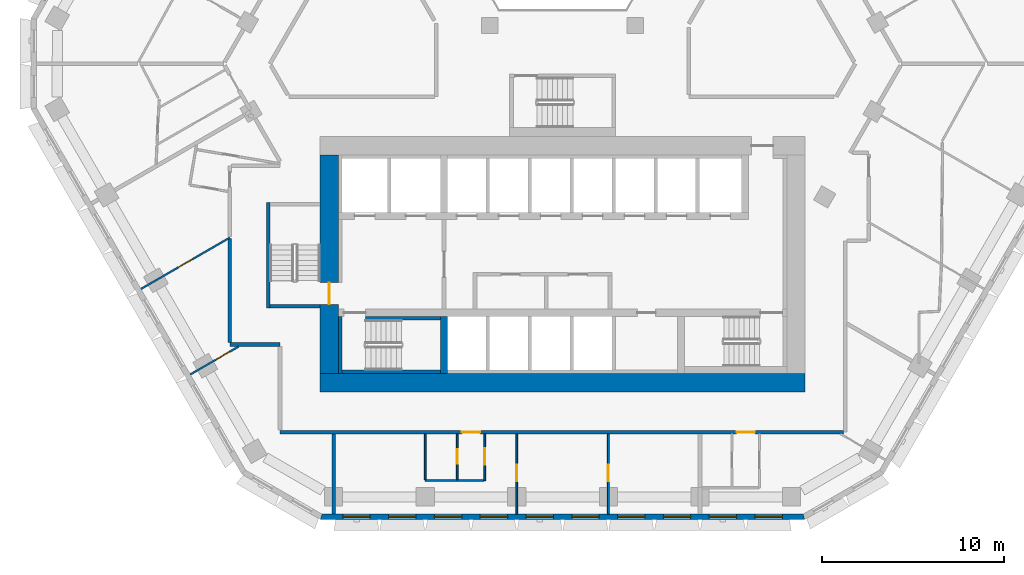
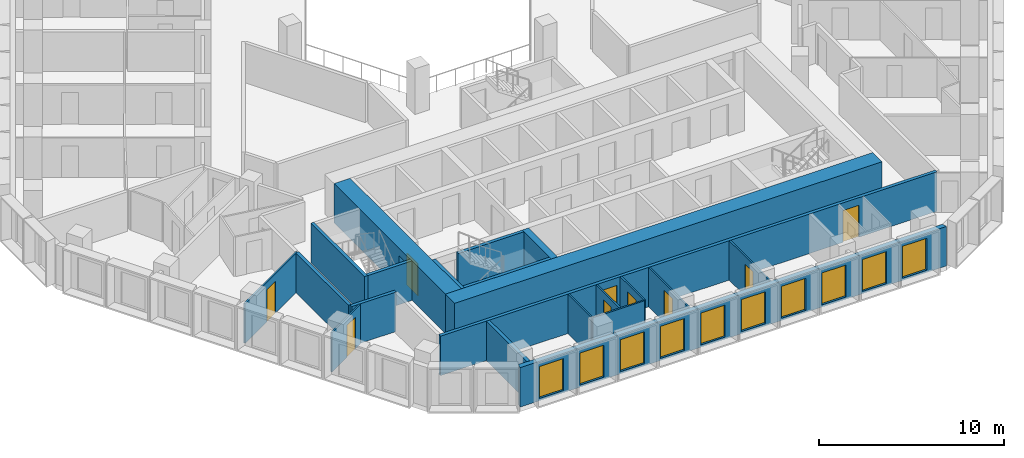
# One storey, part 3 of 18: 21 walls, 10 windows, 9 doors, 19 openings.
"""IFC4 building model written with IfcOpenShell, lengths in metres."""

import ifcopenshell
import ifcopenshell.guid

model = None  # the IFC model being written
_history = None  # IfcOwnerHistory: only IFC2X3 demands one
_inside = {}  # id of a spatial element -> (the spatial element, [elements in it])
_under = {}  # id of a project, library or spatial element -> (it, [spatial elements below it])
_declared = {}  # id of a project -> (the project, [libraries it declares])
_typed = {}  # id of a type object -> (the type object, [elements of that type])
_made_of = {}  # id of a material, layer set ... -> (it, [elements and type objects made of it])


def new_model(schema):
    """Start an empty IFC model of exactly this schema.

    Asked for "IFC4X3", IfcOpenShell would pick the latest addendum, in which some entities
    have other attributes; the version numbers below select the first issue.
    IFC2X3 requires an IfcOwnerHistory on every rooted entity: one is made here for all.
    """
    global model, _history
    if schema == "IFC4X3":
        model = ifcopenshell.file(schema_version=(4, 3, 0, 0))
    else:
        model = ifcopenshell.file(schema=schema)
    _inside.clear()
    _under.clear()
    _declared.clear()
    _typed.clear()
    _made_of.clear()
    _history = None
    if model.schema == "IFC2X3":
        org = make("IfcOrganization", Name="unknown")
        user = make(
            "IfcPersonAndOrganization",
            ThePerson=make("IfcPerson", FamilyName="unknown"),
            TheOrganization=org,
        )
        app = make(
            "IfcApplication",
            ApplicationDeveloper=org,
            Version="unknown",
            ApplicationFullName="unknown",
            ApplicationIdentifier="unknown",
        )
        _history = make(
            "IfcOwnerHistory",
            OwningUser=user,
            OwningApplication=app,
            ChangeAction="ADDED",
            CreationDate=0,
        )
    return model


def make(cls, **values):
    """One entity of the class cls with the attributes given. An attribute that is None is left unset."""
    return model.create_entity(
        cls, **{name: value for name, value in values.items() if value is not None}
    )


def rooted(cls, **values):
    """An entity with a GlobalId (a new one), such as an element, a storey or a relation."""
    return make(cls, GlobalId=ifcopenshell.guid.new(), OwnerHistory=_history, **values)


def si_unit(unit_type, name, prefix=None):
    """IfcSIUnit, for example si_unit("LENGTHUNIT", "METRE", prefix="MILLI")."""
    return make("IfcSIUnit", UnitType=unit_type, Prefix=prefix, Name=name)


def assignment(units):
    """IfcUnitAssignment: the units of a project."""
    return None if units is None else make("IfcUnitAssignment", Units=units)


def point(xyz):
    """IfcCartesianPoint."""
    return None if xyz is None else make("IfcCartesianPoint", Coordinates=xyz)


def direction(xyz):
    """IfcDirection."""
    return None if xyz is None else make("IfcDirection", DirectionRatios=xyz)


def frame(location, z_axis=None, x_axis=None):
    """IfcAxis2Placement3D, a coordinate frame: its origin and axes. An axis left out is left unset."""
    return make(
        "IfcAxis2Placement3D",
        Location=point(location),
        Axis=direction(z_axis),
        RefDirection=direction(x_axis),
    )


def frame_2d(location, x_axis=None):
    """IfcAxis2Placement2D, a coordinate frame in the plane: its origin and x axis."""
    return make(
        "IfcAxis2Placement2D", Location=point(location), RefDirection=direction(x_axis)
    )


def origin():
    """The frame at (0, 0, 0) with its axes left unset."""
    return frame((0.0, 0.0, 0.0))


def place(relative_to, where):
    """IfcLocalPlacement: puts the frame where relative to a parent placement (None: the world)."""
    return make(
        "IfcLocalPlacement", PlacementRelTo=relative_to, RelativePlacement=where
    )


def context(
    kind, dimensions, precision=None, world=None, true_north=None, identifier=None
):
    """IfcGeometricRepresentationContext, for example the 3D "Model" context."""
    return make(
        "IfcGeometricRepresentationContext",
        ContextIdentifier=identifier,
        ContextType=kind,
        CoordinateSpaceDimension=dimensions,
        Precision=precision,
        WorldCoordinateSystem=world,
        TrueNorth=true_north,
    )


def subcontext(parent, identifier, kind, view, scale=None):
    """IfcGeometricRepresentationSubContext, for example "Body" below "Model"."""
    return make(
        "IfcGeometricRepresentationSubContext",
        ContextIdentifier=identifier,
        ContextType=kind,
        ParentContext=parent,
        TargetScale=scale,
        TargetView=view,
    )


def project(units=None, contexts=None):
    """IfcProject with its units and contexts."""
    return rooted(
        "IfcProject",
        Name="project",
        RepresentationContexts=contexts,
        UnitsInContext=assignment(units),
    )


def spatial(cls, under=None, at=None, **own):
    """A site, building, storey or space (cls), placed at a placement, below another one or the project."""
    s = rooted(cls, ObjectPlacement=at, **own)
    if under is not None:
        _under.setdefault(under.id(), (under, []))[1].append(s)
    return s


def polyline(points):
    """IfcPolyline through the points."""
    return make("IfcPolyline", Points=[point(p) for p in points])


def profile(cls, at=None, kind="AREA", **sizes):
    """A parametric profile (cls). Its sizes go by their IFC names, for example OverallWidth=200.0."""
    return make(cls, ProfileType=kind, Position=at, **sizes)


def rectangle(**sizes):
    """IfcRectangleProfileDef."""
    return profile("IfcRectangleProfileDef", **sizes)


def outline(outer, holes=None, kind="AREA"):
    """IfcArbitraryClosedProfileDef: a profile drawn as a closed curve; with holes, ...WithVoids."""
    if holes is None:
        return make("IfcArbitraryClosedProfileDef", ProfileType=kind, OuterCurve=outer)
    return make(
        "IfcArbitraryProfileDefWithVoids",
        ProfileType=kind,
        OuterCurve=outer,
        InnerCurves=holes,
    )


def extrude(swept, where, along, depth):
    """IfcExtrudedAreaSolid: the profile swept, set in the frame where, extruded along a direction by depth."""
    return make(
        "IfcExtrudedAreaSolid",
        SweptArea=swept,
        Position=where,
        ExtrudedDirection=direction(along),
        Depth=depth,
    )


def shape(context_of_items, identifier, shape_type, items):
    """IfcShapeRepresentation: the items that make up one representation, for example the "Body"."""
    return make(
        "IfcShapeRepresentation",
        ContextOfItems=context_of_items,
        RepresentationIdentifier=identifier,
        RepresentationType=shape_type,
        Items=items,
    )


def material(Name=None, Category=None):
    """IfcMaterial."""
    return make("IfcMaterial", Name=Name, Category=Category)


def layer(
    of_material, thickness, ventilated=None, Name=None, Category=None, Priority=None
):
    """IfcMaterialLayer: one layer of a wall or slab, of a material (None: an air gap)."""
    return make(
        "IfcMaterialLayer",
        Material=of_material,
        LayerThickness=thickness,
        IsVentilated=ventilated,
        Name=Name,
        Category=Category,
        Priority=Priority,
    )


def layer_set(layers, Name=None):
    """IfcMaterialLayerSet."""
    return make("IfcMaterialLayerSet", MaterialLayers=layers, LayerSetName=Name)


def made_of(thing, what):
    """Note that an element or type object is made of a material, layer set ...; save() writes the relation."""
    if what is not None:
        _made_of.setdefault(what.id(), (what, []))[1].append(thing)
    return thing


def type_object(cls, material=None, **own):
    """A type object (cls), such as IfcWallType, which elements share."""
    return made_of(rooted(cls, **own), material)


def element(
    cls,
    number,
    at=None,
    inside=None,
    cuts=None,
    type_object=None,
    material=None,
    context=None,
    identifier="Body",
    shape_type=None,
    held_by="IfcProductDefinitionShape",
    body=None,
    shapes=None,
    **own,
):
    """One element of the class cls, such as IfcWall. Its Tag is "e" and its number.

    at: its placement. inside: the storey or other place that contains it. cuts: it is an
    opening in that element (IfcRelVoidsElement). A single representation is given by context,
    identifier, shape_type and body (its items); several are given by shapes. held_by: the class
    of the entity that holds the representations. save() writes the other relations.
    """
    e = rooted(cls, Tag="e%d" % number, ObjectPlacement=at, **own)
    if body is not None:
        shapes = [shape(context, identifier, shape_type, body)]
    if shapes is not None:
        e.Representation = make(held_by, Representations=shapes)
    if inside is not None:
        _inside.setdefault(inside.id(), (inside, []))[1].append(e)
    if cuts is not None:
        rooted(
            "IfcRelVoidsElement", RelatingBuildingElement=cuts, RelatedOpeningElement=e
        )
    if type_object is not None:
        _typed.setdefault(type_object.id(), (type_object, []))[1].append(e)
    return made_of(e, material)


def fill(opening, filler):
    """IfcRelFillsElement: the door or window that sits in an opening."""
    return rooted(
        "IfcRelFillsElement",
        RelatingOpeningElement=opening,
        RelatedBuildingElement=filler,
    )


def aggregate(whole, parts):
    """IfcRelAggregates: a whole, such as a stair, and the parts it consists of."""
    return rooted("IfcRelAggregates", RelatingObject=whole, RelatedObjects=parts)


def save(model, path):
    """Write the relations noted so far, then the file.

    IfcRelAggregates (storeys below a building ...), IfcRelContainedInSpatialStructure (elements
    in a storey), IfcRelDefinesByType, IfcRelAssociatesMaterial and IfcRelDeclares: one each for
    every whole, place, type object, material and project.
    """
    for whole, parts in _under.values():
        aggregate(whole, parts)
    for where, things in _inside.values():
        rooted(
            "IfcRelContainedInSpatialStructure",
            RelatedElements=things,
            RelatingStructure=where,
        )
    for kind, things in _typed.values():
        rooted("IfcRelDefinesByType", RelatedObjects=things, RelatingType=kind)
    for what, things in _made_of.values():
        rooted("IfcRelAssociatesMaterial", RelatedObjects=things, RelatingMaterial=what)
    for by, libraries in _declared.values():
        rooted("IfcRelDeclares", RelatingContext=by, RelatedDefinitions=libraries)
    model.write(path)


model = new_model("IFC4")

# Units and contexts
model_context = context("Model", 3, precision=1e-05, world=origin(), true_north=direction((0.0, 1.0)))
body_context = subcontext(model_context, "Body", "Model", "MODEL_VIEW")
ifc_project = project(units=[si_unit("LENGTHUNIT", "METRE"), si_unit("AREAUNIT", "SQUARE_METRE"), si_unit("VOLUMEUNIT", "CUBIC_METRE"), si_unit("PLANEANGLEUNIT", "RADIAN"), si_unit("MASSUNIT", "GRAM", prefix="KILO")], contexts=[model_context])

# Site, building, storey
site_placement = place(None, origin())
site = spatial("IfcSite", under=ifc_project, at=site_placement, CompositionType="ELEMENT")
building_placement = place(site_placement, origin())
building = spatial("IfcBuilding", under=site, at=building_placement, Name="Beryl Residences", CompositionType="ELEMENT")
storey_placement = place(building_placement, frame((0.0, 0.0, 105.0)))
storey = spatial("IfcBuildingStorey", under=building, at=storey_placement, Name="L32", CompositionType="ELEMENT", Elevation=105.0)

# Wall, openings, windows
ifc_material_1 = material(Name="Composite metal panel with mineral wool insulation")
ifc_layer_1 = layer(ifc_material_1, 0.300048828125)
ifc_layer_set_1 = layer_set([ifc_layer_1], Name="ES1 pale metal composite panel wall 300 mm")
wall_type_1 = type_object("IfcWallType", Name="ES1 pale metal composite panel wall 300 mm", PredefinedType="SOLIDWALL", material=ifc_layer_set_1)
wall_1_placement = place(storey_placement, frame((-13.279052734375, -25.85009765625, 0.0), z_axis=(0.0, 0.0, 1.0), x_axis=(1.0, 0.0, 0.0)))
wall_1 = element("IfcWall", 1, at=wall_1_placement, inside=storey, type_object=wall_type_1, Name="ES1 external wall L32 S", PredefinedType="SOLIDWALL", context=body_context, shape_type="SweptSolid", body=[
    extrude(outline(polyline([(0.0, -0.14990234375), (26.55810546875, -0.14990234375), (26.477783203125, 0.14990234375), (0.080322265625, 0.14990234375), (0.0, -0.14990234375)])), origin(), (0.0, 0.0, 1.0), 2.60009765625),
])
opening_1_placement = place(wall_1_placement, frame((1.22802734375, 0.0, 0.14990234375)))
opening_1 = element("IfcOpeningElement", 2, at=opening_1_placement, cuts=wall_1, Name="Opening W1", PredefinedType="OPENING", context=body_context, shape_type="SweptSolid", body=[
    extrude(rectangle(XDim=1.5, YDim=2.10009765625, at=frame_2d((0.75, 1.050048828125))), frame((0.0, 0.159912109375, 0.0), z_axis=(0.0, -1.0, 0.0), x_axis=(1.0, 0.0, 0.0)), (0.0, 0.0, 1.0), 0.320068359375),
])
opening_2_placement = place(wall_1_placement, frame((3.739013671875, 0.0, 0.14990234375)))
opening_2 = element("IfcOpeningElement", 3, at=opening_2_placement, cuts=wall_1, Name="Opening W1", PredefinedType="OPENING", context=body_context, shape_type="SweptSolid", body=[
    extrude(rectangle(XDim=1.5, YDim=2.10009765625, at=frame_2d((0.75, 1.050048828125))), frame((0.0, 0.159912109375, 0.0), z_axis=(0.0, -1.0, 0.0), x_axis=(1.0, 0.0, 0.0)), (0.0, 0.0, 1.0), 0.320068359375),
])
opening_3_placement = place(wall_1_placement, frame((6.2509765625, 0.0, 0.14990234375)))
opening_3 = element("IfcOpeningElement", 4, at=opening_3_placement, cuts=wall_1, Name="Opening W1", PredefinedType="OPENING", context=body_context, shape_type="SweptSolid", body=[
    extrude(rectangle(XDim=1.5, YDim=2.10009765625, at=frame_2d((0.75, 1.050048828125))), frame((0.0, 0.159912109375, 0.0), z_axis=(0.0, -1.0, 0.0), x_axis=(1.0, 0.0, 0.0)), (0.0, 0.0, 1.0), 0.320068359375),
])
opening_4_placement = place(wall_1_placement, frame((8.761962890625, 0.0, 0.14990234375)))
opening_4 = element("IfcOpeningElement", 5, at=opening_4_placement, cuts=wall_1, Name="Opening W1", PredefinedType="OPENING", context=body_context, shape_type="SweptSolid", body=[
    extrude(rectangle(XDim=1.5, YDim=2.10009765625, at=frame_2d((0.75, 1.050048828125))), frame((0.0, 0.159912109375, 0.0), z_axis=(0.0, -1.0, 0.0), x_axis=(1.0, 0.0, 0.0)), (0.0, 0.0, 1.0), 0.320068359375),
])
opening_5_placement = place(wall_1_placement, frame((11.27392578125, 0.0, 0.14990234375)))
opening_5 = element("IfcOpeningElement", 6, at=opening_5_placement, cuts=wall_1, Name="Opening W1", PredefinedType="OPENING", context=body_context, shape_type="SweptSolid", body=[
    extrude(rectangle(XDim=1.5, YDim=2.10009765625, at=frame_2d((0.75, 1.050048828125))), frame((0.0, 0.159912109375, 0.0), z_axis=(0.0, -1.0, 0.0), x_axis=(1.0, 0.0, 0.0)), (0.0, 0.0, 1.0), 0.320068359375),
])
opening_6_placement = place(wall_1_placement, frame((13.784912109375, 0.0, 0.14990234375)))
opening_6 = element("IfcOpeningElement", 7, at=opening_6_placement, cuts=wall_1, Name="Opening W1", PredefinedType="OPENING", context=body_context, shape_type="SweptSolid", body=[
    extrude(rectangle(XDim=1.5, YDim=2.10009765625, at=frame_2d((0.75, 1.050048828125))), frame((0.0, 0.159912109375, 0.0), z_axis=(0.0, -1.0, 0.0), x_axis=(1.0, 0.0, 0.0)), (0.0, 0.0, 1.0), 0.320068359375),
])
opening_7_placement = place(wall_1_placement, frame((16.297119140625, 0.0, 0.14990234375)))
opening_7 = element("IfcOpeningElement", 8, at=opening_7_placement, cuts=wall_1, Name="Opening W1", PredefinedType="OPENING", context=body_context, shape_type="SweptSolid", body=[
    extrude(rectangle(XDim=1.5, YDim=2.10009765625, at=frame_2d((0.75, 1.050048828125))), frame((0.0, 0.159912109375, 0.0), z_axis=(0.0, -1.0, 0.0), x_axis=(1.0, 0.0, 0.0)), (0.0, 0.0, 1.0), 0.320068359375),
])
opening_8_placement = place(wall_1_placement, frame((18.80810546875, 0.0, 0.14990234375)))
opening_8 = element("IfcOpeningElement", 9, at=opening_8_placement, cuts=wall_1, Name="Opening W1", PredefinedType="OPENING", context=body_context, shape_type="SweptSolid", body=[
    extrude(rectangle(XDim=1.5, YDim=2.10009765625, at=frame_2d((0.75, 1.050048828125))), frame((0.0, 0.159912109375, 0.0), z_axis=(0.0, -1.0, 0.0), x_axis=(1.0, 0.0, 0.0)), (0.0, 0.0, 1.0), 0.320068359375),
])
opening_9_placement = place(wall_1_placement, frame((21.320068359375, 0.0, 0.14990234375)))
opening_9 = element("IfcOpeningElement", 10, at=opening_9_placement, cuts=wall_1, Name="Opening W1", PredefinedType="OPENING", context=body_context, shape_type="SweptSolid", body=[
    extrude(rectangle(XDim=1.5, YDim=2.10009765625, at=frame_2d((0.75, 1.050048828125))), frame((0.0, 0.159912109375, 0.0), z_axis=(0.0, -1.0, 0.0), x_axis=(1.0, 0.0, 0.0)), (0.0, 0.0, 1.0), 0.320068359375),
])
opening_10_placement = place(wall_1_placement, frame((23.8310546875, 0.0, 0.14990234375)))
opening_10 = element("IfcOpeningElement", 11, at=opening_10_placement, cuts=wall_1, Name="Opening W1", PredefinedType="OPENING", context=body_context, shape_type="SweptSolid", body=[
    extrude(rectangle(XDim=1.5, YDim=2.10009765625, at=frame_2d((0.75, 1.050048828125))), frame((0.0, 0.159912109375, 0.0), z_axis=(0.0, -1.0, 0.0), x_axis=(1.0, 0.0, 0.0)), (0.0, 0.0, 1.0), 0.320068359375),
])
ifc_material_2 = material(Name="Aluminium and clear glass", Category="aluminium")
window_type = type_object("IfcWindowType", Name="W1 cell window 1500 x 2100 mm", PartitioningType="SINGLE_PANEL", PredefinedType="WINDOW", material=ifc_material_2)
window_1_placement = place(opening_1_placement, origin())
window_1 = element("IfcWindow", 12, at=window_1_placement, inside=storey, type_object=window_type, Name="W1 window L32 S 1", OverallHeight=2.10009765625, OverallWidth=1.5, PartitioningType="SINGLE_PANEL", PredefinedType="WINDOW", context=body_context, shape_type="SweptSolid", body=[
    extrude(rectangle(XDim=1.5, YDim=2.10009765625, at=frame_2d((0.75, 1.050048828125))), frame((0.0, 0.030029296875, 0.0), z_axis=(0.0, -1.0, 0.0), x_axis=(1.0, 0.0, 0.0)), (0.0, 0.0, 1.0), 0.06005859375),
])
fill(opening_1, window_1)
window_2_placement = place(opening_2_placement, origin())
window_2 = element("IfcWindow", 13, at=window_2_placement, inside=storey, type_object=window_type, Name="W1 window L32 S 2", OverallHeight=2.10009765625, OverallWidth=1.5, PartitioningType="SINGLE_PANEL", PredefinedType="WINDOW", context=body_context, shape_type="SweptSolid", body=[
    extrude(rectangle(XDim=1.5, YDim=2.10009765625, at=frame_2d((0.75, 1.050048828125))), frame((0.0, 0.030029296875, 0.0), z_axis=(0.0, -1.0, 0.0), x_axis=(1.0, 0.0, 0.0)), (0.0, 0.0, 1.0), 0.06005859375),
])
fill(opening_2, window_2)
window_3_placement = place(opening_3_placement, origin())
window_3 = element("IfcWindow", 14, at=window_3_placement, inside=storey, type_object=window_type, Name="W1 window L32 S 3", OverallHeight=2.10009765625, OverallWidth=1.5, PartitioningType="SINGLE_PANEL", PredefinedType="WINDOW", context=body_context, shape_type="SweptSolid", body=[
    extrude(rectangle(XDim=1.5, YDim=2.10009765625, at=frame_2d((0.75, 1.050048828125))), frame((0.0, 0.030029296875, 0.0), z_axis=(0.0, -1.0, 0.0), x_axis=(1.0, 0.0, 0.0)), (0.0, 0.0, 1.0), 0.06005859375),
])
fill(opening_3, window_3)
window_4_placement = place(opening_4_placement, origin())
window_4 = element("IfcWindow", 15, at=window_4_placement, inside=storey, type_object=window_type, Name="W1 window L32 S 4", OverallHeight=2.10009765625, OverallWidth=1.5, PartitioningType="SINGLE_PANEL", PredefinedType="WINDOW", context=body_context, shape_type="SweptSolid", body=[
    extrude(rectangle(XDim=1.5, YDim=2.10009765625, at=frame_2d((0.75, 1.050048828125))), frame((0.0, 0.030029296875, 0.0), z_axis=(0.0, -1.0, 0.0), x_axis=(1.0, 0.0, 0.0)), (0.0, 0.0, 1.0), 0.06005859375),
])
fill(opening_4, window_4)
window_5_placement = place(opening_5_placement, origin())
window_5 = element("IfcWindow", 16, at=window_5_placement, inside=storey, type_object=window_type, Name="W1 window L32 S 5", OverallHeight=2.10009765625, OverallWidth=1.5, PartitioningType="SINGLE_PANEL", PredefinedType="WINDOW", context=body_context, shape_type="SweptSolid", body=[
    extrude(rectangle(XDim=1.5, YDim=2.10009765625, at=frame_2d((0.75, 1.050048828125))), frame((0.0, 0.030029296875, 0.0), z_axis=(0.0, -1.0, 0.0), x_axis=(1.0, 0.0, 0.0)), (0.0, 0.0, 1.0), 0.06005859375),
])
fill(opening_5, window_5)
window_6_placement = place(opening_6_placement, origin())
window_6 = element("IfcWindow", 17, at=window_6_placement, inside=storey, type_object=window_type, Name="W1 window L32 S 6", OverallHeight=2.10009765625, OverallWidth=1.5, PartitioningType="SINGLE_PANEL", PredefinedType="WINDOW", context=body_context, shape_type="SweptSolid", body=[
    extrude(rectangle(XDim=1.5, YDim=2.10009765625, at=frame_2d((0.75, 1.050048828125))), frame((0.0, 0.030029296875, 0.0), z_axis=(0.0, -1.0, 0.0), x_axis=(1.0, 0.0, 0.0)), (0.0, 0.0, 1.0), 0.06005859375),
])
fill(opening_6, window_6)
window_7_placement = place(opening_7_placement, origin())
window_7 = element("IfcWindow", 18, at=window_7_placement, inside=storey, type_object=window_type, Name="W1 window L32 S 7", OverallHeight=2.10009765625, OverallWidth=1.5, PartitioningType="SINGLE_PANEL", PredefinedType="WINDOW", context=body_context, shape_type="SweptSolid", body=[
    extrude(rectangle(XDim=1.5, YDim=2.10009765625, at=frame_2d((0.75, 1.050048828125))), frame((0.0, 0.030029296875, 0.0), z_axis=(0.0, -1.0, 0.0), x_axis=(1.0, 0.0, 0.0)), (0.0, 0.0, 1.0), 0.06005859375),
])
fill(opening_7, window_7)
window_8_placement = place(opening_8_placement, origin())
window_8 = element("IfcWindow", 19, at=window_8_placement, inside=storey, type_object=window_type, Name="W1 window L32 S 8", OverallHeight=2.10009765625, OverallWidth=1.5, PartitioningType="SINGLE_PANEL", PredefinedType="WINDOW", context=body_context, shape_type="SweptSolid", body=[
    extrude(rectangle(XDim=1.5, YDim=2.10009765625, at=frame_2d((0.75, 1.050048828125))), frame((0.0, 0.030029296875, 0.0), z_axis=(0.0, -1.0, 0.0), x_axis=(1.0, 0.0, 0.0)), (0.0, 0.0, 1.0), 0.06005859375),
])
fill(opening_8, window_8)
window_9_placement = place(opening_9_placement, origin())
window_9 = element("IfcWindow", 20, at=window_9_placement, inside=storey, type_object=window_type, Name="W1 window L32 S 9", OverallHeight=2.10009765625, OverallWidth=1.5, PartitioningType="SINGLE_PANEL", PredefinedType="WINDOW", context=body_context, shape_type="SweptSolid", body=[
    extrude(rectangle(XDim=1.5, YDim=2.10009765625, at=frame_2d((0.75, 1.050048828125))), frame((0.0, 0.030029296875, 0.0), z_axis=(0.0, -1.0, 0.0), x_axis=(1.0, 0.0, 0.0)), (0.0, 0.0, 1.0), 0.06005859375),
])
fill(opening_9, window_9)
window_10_placement = place(opening_10_placement, origin())
window_10 = element("IfcWindow", 21, at=window_10_placement, inside=storey, type_object=window_type, Name="W1 window L32 S 10", OverallHeight=2.10009765625, OverallWidth=1.5, PartitioningType="SINGLE_PANEL", PredefinedType="WINDOW", context=body_context, shape_type="SweptSolid", body=[
    extrude(rectangle(XDim=1.5, YDim=2.10009765625, at=frame_2d((0.75, 1.050048828125))), frame((0.0, 0.030029296875, 0.0), z_axis=(0.0, -1.0, 0.0), x_axis=(1.0, 0.0, 0.0)), (0.0, 0.0, 1.0), 0.06005859375),
])
fill(opening_10, window_10)

# Wall
ifc_material_3 = material(Name="Gypsum board partition on steel studs", Category="steel")
ifc_layer_2 = layer(ifc_material_3, 0.10009765625)
ifc_layer_set_2 = layer_set([ifc_layer_2], Name="PT1 partition 100 mm gypsum board on steel studs")
wall_type_2 = type_object("IfcWallType", Name="PT1 partition 100 mm gypsum board on steel studs", PredefinedType="PARTITIONING", material=ifc_layer_set_2)
wall_2_placement = place(storey_placement, frame((-7.533935546875, -21.300048828125, 0.0), z_axis=(0.0, 0.0, 1.0), x_axis=(0.0, -1.0, 0.0)))
element("IfcWall", 22, at=wall_2_placement, inside=storey, type_object=wall_type_2, Name="Wall PT1 L32 009", PredefinedType="PARTITIONING", context=body_context, shape_type="SweptSolid", body=[
    extrude(rectangle(XDim=2.509033203125, YDim=0.10009765625, at=frame_2d((1.25439453125, 0.0))), origin(), (0.0, 0.0, 1.0), 2.60009765625),
])

# Wall, opening, door
wall_3_placement = place(storey_placement, frame((-2.510986328125, -21.300048828125, 0.0), z_axis=(0.0, 0.0, 1.0), x_axis=(0.0, -1.0, 0.0)))
wall_3 = element("IfcWall", 23, at=wall_3_placement, inside=storey, type_object=wall_type_2, Name="Wall PT1 L32 010", PredefinedType="PARTITIONING", context=body_context, shape_type="SweptSolid", body=[
    extrude(rectangle(XDim=4.39990234375, YDim=0.10009765625, at=frame_2d((2.199951171875, 0.0))), origin(), (0.0, 0.0, 1.0), 2.60009765625),
])
opening_11_placement = place(wall_3_placement, frame((1.699951171875, 0.0, 0.0)))
opening_11 = element("IfcOpeningElement", 24, at=opening_11_placement, cuts=wall_3, Name="Opening D0709", PredefinedType="OPENING", context=body_context, shape_type="SweptSolid", body=[
    extrude(rectangle(XDim=0.89990234375, YDim=2.10009765625, at=frame_2d((0.449951171875, 1.050048828125))), frame((0.0, 0.06005859375, 0.0), z_axis=(0.0, -1.0, 0.0), x_axis=(1.0, 0.0, 0.0)), (0.0, 0.0, 1.0), 0.1201171875),
])
ifc_material_4 = material(Name="Timber door leaf", Category="wood")
door_type_1 = type_object("IfcDoorType", Name="D2 room door 900 x 2100 mm", OperationType="SINGLE_SWING_LEFT", PredefinedType="DOOR", material=ifc_material_4)
door_1_placement = place(opening_11_placement, origin())
door_1 = element("IfcDoor", 25, at=door_1_placement, inside=storey, type_object=door_type_1, Name="Door D0709 L32 001", OperationType="SINGLE_SWING_LEFT", OverallHeight=2.10009765625, OverallWidth=0.89990234375, PredefinedType="DOOR", context=body_context, shape_type="SweptSolid", body=[
    extrude(rectangle(XDim=0.89990234375, YDim=2.10009765625, at=frame_2d((0.449951171875, 1.050048828125))), frame((0.0, 0.02490234375, 0.0), z_axis=(0.0, -1.0, 0.0), x_axis=(1.0, 0.0, 0.0)), (0.0, 0.0, 1.0), 0.050048828125),
])
fill(opening_11, door_1)

# Wall
wall_4_placement = place(storey_placement, frame((-7.532958984375, -23.860107421875, 0.0), z_axis=(0.0, 0.0, 1.0), x_axis=(1.0, 0.0, 0.0)))
element("IfcWall", 26, at=wall_4_placement, inside=storey, type_object=wall_type_2, Name="Wall PT1 L32 027", PredefinedType="PARTITIONING", context=body_context, shape_type="SweptSolid", body=[
    extrude(rectangle(XDim=3.212890625, YDim=0.10009765625, at=frame_2d((1.6064453125, 0.0))), origin(), (0.0, 0.0, 1.0), 2.60009765625),
])

# Wall, opening, door
wall_5_placement = place(storey_placement, frame((2.511962890625, -25.699951171875, 0.0), z_axis=(0.0, 0.0, 1.0), x_axis=(0.0, 1.0, 0.0)))
wall_5 = element("IfcWall", 27, at=wall_5_placement, inside=storey, type_object=wall_type_2, Name="Wall PT1 L32 044", PredefinedType="PARTITIONING", context=body_context, shape_type="SweptSolid", body=[
    extrude(rectangle(XDim=4.39990234375, YDim=0.10009765625, at=frame_2d((2.199951171875, 0.0))), origin(), (0.0, 0.0, 1.0), 2.60009765625),
])
opening_12_placement = place(wall_5_placement, frame((1.800048828125, 0.0, 0.0)))
opening_12 = element("IfcOpeningElement", 28, at=opening_12_placement, cuts=wall_5, Name="Opening D0710", PredefinedType="OPENING", context=body_context, shape_type="SweptSolid", body=[
    extrude(rectangle(XDim=0.89990234375, YDim=2.10009765625, at=frame_2d((0.449951171875, 1.050048828125))), frame((0.0, 0.06005859375, 0.0), z_axis=(0.0, -1.0, 0.0), x_axis=(1.0, 0.0, 0.0)), (0.0, 0.0, 1.0), 0.1201171875),
])
door_2_placement = place(opening_12_placement, origin())
door_2 = element("IfcDoor", 29, at=door_2_placement, inside=storey, type_object=door_type_1, Name="Door D0710 L32 001", OperationType="SINGLE_SWING_RIGHT", OverallHeight=2.10009765625, OverallWidth=0.89990234375, PredefinedType="DOOR", context=body_context, shape_type="SweptSolid", body=[
    extrude(rectangle(XDim=0.89990234375, YDim=2.10009765625, at=frame_2d((0.449951171875, 1.050048828125))), frame((0.0, 0.02490234375, 0.0), z_axis=(0.0, -1.0, 0.0), x_axis=(1.0, 0.0, 0.0)), (0.0, 0.0, 1.0), 0.050048828125),
])
fill(opening_12, door_2)

wall_6_placement = place(storey_placement, frame((-4.26904296875, -23.85888671875, 0.0), z_axis=(0.0, 0.0, 1.0), x_axis=(0.0, 1.0, 0.0)))
wall_6 = element("IfcWall", 30, at=wall_6_placement, inside=storey, type_object=wall_type_2, Name="Wall PT1 L32 047", PredefinedType="PARTITIONING", context=body_context, shape_type="SweptSolid", body=[
    extrude(rectangle(XDim=2.558837890625, YDim=0.10009765625, at=frame_2d((1.279296875, 0.0))), origin(), (0.0, 0.0, 1.0), 2.60009765625),
])
opening_13_placement = place(wall_6_placement, frame((0.87890625, 0.0, 0.0)))
opening_13 = element("IfcOpeningElement", 31, at=opening_13_placement, cuts=wall_6, Name="Opening D0707", PredefinedType="OPENING", context=body_context, shape_type="SweptSolid", body=[
    extrude(rectangle(XDim=0.89990234375, YDim=2.10009765625, at=frame_2d((0.449951171875, 1.050048828125))), frame((0.0, 0.06005859375, 0.0), z_axis=(0.0, -1.0, 0.0), x_axis=(1.0, 0.0, 0.0)), (0.0, 0.0, 1.0), 0.1201171875),
])
door_3_placement = place(opening_13_placement, origin())
door_3 = element("IfcDoor", 32, at=door_3_placement, inside=storey, type_object=door_type_1, Name="Door D0707 L32 001", OperationType="SINGLE_SWING_LEFT", OverallHeight=2.10009765625, OverallWidth=0.89990234375, PredefinedType="DOOR", context=body_context, shape_type="SweptSolid", body=[
    extrude(rectangle(XDim=0.89990234375, YDim=2.10009765625, at=frame_2d((0.449951171875, 1.050048828125))), frame((0.0, 0.02490234375, 0.0), z_axis=(0.0, -1.0, 0.0), x_axis=(1.0, 0.0, 0.0)), (0.0, 0.0, 1.0), 0.050048828125),
])
fill(opening_13, door_3)

wall_7_placement = place(storey_placement, frame((-5.77587890625, -23.81005859375, 0.0), z_axis=(0.0, 0.0, 1.0), x_axis=(0.0, 1.0, 0.0)))
wall_7 = element("IfcWall", 33, at=wall_7_placement, inside=storey, type_object=wall_type_2, Name="Wall PT1 L32 048", PredefinedType="PARTITIONING", context=body_context, shape_type="SweptSolid", body=[
    extrude(rectangle(XDim=2.510009765625, YDim=0.10009765625, at=frame_2d((1.2548828125, 0.0))), origin(), (0.0, 0.0, 1.0), 2.60009765625),
])
opening_14_placement = place(wall_7_placement, frame((0.8798828125, 0.0, 0.0)))
opening_14 = element("IfcOpeningElement", 34, at=opening_14_placement, cuts=wall_7, Name="Opening D0708", PredefinedType="OPENING", context=body_context, shape_type="SweptSolid", body=[
    extrude(rectangle(XDim=0.800048828125, YDim=2.10009765625, at=frame_2d((0.39990234375, 1.050048828125))), frame((0.0, 0.06005859375, 0.0), z_axis=(0.0, -1.0, 0.0), x_axis=(1.0, 0.0, 0.0)), (0.0, 0.0, 1.0), 0.1201171875),
])
ifc_material_5 = material(Name="Timber door leaf", Category="wood")
door_type_2 = type_object("IfcDoorType", Name="D3 bathroom door 800 x 2100 mm", OperationType="SINGLE_SWING_LEFT", PredefinedType="DOOR", material=ifc_material_5)
door_4_placement = place(opening_14_placement, origin())
door_4 = element("IfcDoor", 35, at=door_4_placement, inside=storey, type_object=door_type_2, Name="Door D0708 L32 001", OperationType="SINGLE_SWING_RIGHT", OverallHeight=2.10009765625, OverallWidth=0.800048828125, PredefinedType="DOOR", context=body_context, shape_type="SweptSolid", body=[
    extrude(rectangle(XDim=0.800048828125, YDim=2.10009765625, at=frame_2d((0.39990234375, 1.050048828125))), frame((0.0, 0.02490234375, 0.0), z_axis=(0.0, -1.0, 0.0), x_axis=(1.0, 0.0, 0.0)), (0.0, 0.0, 1.0), 0.050048828125),
])
fill(opening_14, door_4)

wall_8_placement = place(storey_placement, frame((-20.416015625, -18.0380859375, 0.0), z_axis=(0.0, 0.0, 1.0), x_axis=(0.866026989333, 0.499997253739, 0.0)))
wall_8 = element("IfcWall", 36, at=wall_8_placement, inside=storey, type_object=wall_type_2, Name="Wall PT1 L32 051", PredefinedType="PARTITIONING", context=body_context, shape_type="SweptSolid", body=[
    extrude(rectangle(XDim=3.076171875, YDim=0.10009765625, at=frame_2d((1.5380859375, 0.0))), origin(), (0.0, 0.0, 1.0), 2.60009765625),
])
opening_15_placement = place(wall_8_placement, frame((1.587890625, 0.0, 0.0)))
opening_15 = element("IfcOpeningElement", 37, at=opening_15_placement, cuts=wall_8, Name="Opening D0705", PredefinedType="OPENING", context=body_context, shape_type="SweptSolid", body=[
    extrude(rectangle(XDim=0.89990234375, YDim=2.10009765625, at=frame_2d((0.449951171875, 1.050048828125))), frame((0.0, 0.06005859375, 0.0), z_axis=(0.0, -1.0, 0.0), x_axis=(1.0, 0.0, 0.0)), (0.0, 0.0, 1.0), 0.1201171875),
])
door_5_placement = place(opening_15_placement, origin())
door_5 = element("IfcDoor", 38, at=door_5_placement, inside=storey, type_object=door_type_1, Name="Door D0705 L32 001", OperationType="SINGLE_SWING_LEFT", OverallHeight=2.10009765625, OverallWidth=0.89990234375, PredefinedType="DOOR", context=body_context, shape_type="SweptSolid", body=[
    extrude(rectangle(XDim=0.89990234375, YDim=2.10009765625, at=frame_2d((0.449951171875, 1.050048828125))), frame((0.0, 0.02490234375, 0.0), z_axis=(0.0, -1.0, 0.0), x_axis=(1.0, 0.0, 0.0)), (0.0, 0.0, 1.0), 0.050048828125),
])
fill(opening_15, door_5)

wall_9_placement = place(storey_placement, frame((-23.123046875, -13.35009765625, 0.0), z_axis=(0.0, 0.0, 1.0), x_axis=(0.86596737403, 0.500100497016, 0.0)))
wall_9 = element("IfcWall", 39, at=wall_9_placement, inside=storey, type_object=wall_type_2, Name="Wall PT1 L32 054", PredefinedType="PARTITIONING", context=body_context, shape_type="SweptSolid", body=[
    extrude(rectangle(XDim=5.627197265625, YDim=0.10009765625, at=frame_2d((2.8134765625, 0.0))), origin(), (0.0, 0.0, 1.0), 2.60009765625),
])
opening_16_placement = place(wall_9_placement, frame((2.363037109375, 0.0, 0.0)))
opening_16 = element("IfcOpeningElement", 40, at=opening_16_placement, cuts=wall_9, Name="Opening D0704", PredefinedType="OPENING", context=body_context, shape_type="SweptSolid", body=[
    extrude(rectangle(XDim=0.89990234375, YDim=2.10009765625, at=frame_2d((0.449951171875, 1.050048828125))), frame((0.0, 0.06005859375, 0.0), z_axis=(0.0, -1.0, 0.0), x_axis=(1.0, 0.0, 0.0)), (0.0, 0.0, 1.0), 0.1201171875),
])
door_6_placement = place(opening_16_placement, origin())
door_6 = element("IfcDoor", 41, at=door_6_placement, inside=storey, type_object=door_type_1, Name="Door D0704 L32 001", OperationType="SINGLE_SWING_RIGHT", OverallHeight=2.10009765625, OverallWidth=0.89990234375, PredefinedType="DOOR", context=body_context, shape_type="SweptSolid", body=[
    extrude(rectangle(XDim=0.89990234375, YDim=2.10009765625, at=frame_2d((0.449951171875, 1.050048828125))), frame((0.0, 0.02490234375, 0.0), z_axis=(0.0, -1.0, 0.0), x_axis=(1.0, 0.0, 0.0)), (0.0, 0.0, 1.0), 0.050048828125),
])
fill(opening_16, door_6)

# Walls
ifc_material_6 = material(Name="Acoustic double stud gypsum board wall")
ifc_layer_3 = layer(ifc_material_6, 0.199951171875)
ifc_layer_set_3 = layer_set([ifc_layer_3], Name="PT3 party wall 200 mm acoustic double stud")
wall_type_3 = type_object("IfcWallType", Name="PT3 party wall 200 mm acoustic double stud", PredefinedType="PARTITIONING", material=ifc_layer_set_3)
wall_10_placement = place(storey_placement, frame((-12.556884765625, -25.699951171875, 0.0), z_axis=(0.0, 0.0, 1.0), x_axis=(0.0, 1.0, 0.0)))
element("IfcWall", 42, at=wall_10_placement, inside=storey, type_object=wall_type_3, Name="Wall PT3 L32 016", PredefinedType="PARTITIONING", context=body_context, shape_type="SweptSolid", body=[
    extrude(rectangle(XDim=4.39990234375, YDim=0.199951171875, at=frame_2d((2.199951171875, 0.0))), origin(), (0.0, 0.0, 1.0), 2.60009765625),
])
ifc_material_7 = material(Name="Double stud gypsum board wall")
ifc_layer_4 = layer(ifc_material_7, 0.199951171875)
ifc_layer_set_4 = layer_set([ifc_layer_4], Name="PT4 corridor wall 200 mm double stud")
wall_type_4 = type_object("IfcWallType", Name="PT4 corridor wall 200 mm double stud", PredefinedType="PARTITIONING", material=ifc_layer_set_4)
wall_11_placement = place(storey_placement, frame((-18.25, -10.593994140625, 0.0), z_axis=(0.0, 0.0, 1.0), x_axis=(0.0, -1.0, 0.0)))
element("IfcWall", 43, at=wall_11_placement, inside=storey, type_object=wall_type_4, Name="Wall PT4 L32 009", PredefinedType="PARTITIONING", context=body_context, shape_type="SweptSolid", body=[
    extrude(rectangle(XDim=5.705078125, YDim=0.199951171875, at=frame_2d((2.8525390625, 0.0))), origin(), (0.0, 0.0, 1.0), 2.60009765625),
])
wall_12_placement = place(storey_placement, frame((-18.2490234375, -16.39990234375, 0.0), z_axis=(0.0, 0.0, 1.0), x_axis=(1.0, 0.0, 0.0)))
element("IfcWall", 44, at=wall_12_placement, inside=storey, type_object=wall_type_4, Name="Wall PT4 L32 015", PredefinedType="PARTITIONING", context=body_context, shape_type="SweptSolid", body=[
    extrude(rectangle(XDim=2.748046875, YDim=0.199951171875, at=frame_2d((1.3740234375, 0.0))), origin(), (0.0, 0.0, 1.0), 2.60009765625),
])

# Wall, openings, doors
wall_13_placement = place(storey_placement, frame((-15.4990234375, -21.199951171875, 0.0), z_axis=(0.0, 0.0, 1.0), x_axis=(1.0, 0.0, 0.0)))
wall_13 = element("IfcWall", 45, at=wall_13_placement, inside=storey, type_object=wall_type_4, Name="Wall PT4 L32 016", PredefinedType="PARTITIONING", context=body_context, shape_type="SweptSolid", body=[
    extrude(rectangle(XDim=30.89794921875, YDim=0.199951171875, at=frame_2d((15.448974609375, 0.0))), origin(), (0.0, 0.0, 1.0), 2.60009765625),
])
opening_17_placement = place(wall_13_placement, frame((9.97705078125, 0.0, 0.0)))
opening_17 = element("IfcOpeningElement", 46, at=opening_17_placement, cuts=wall_13, Name="Opening D0706", PredefinedType="OPENING", context=body_context, shape_type="SweptSolid", body=[
    extrude(rectangle(XDim=1.0, YDim=2.10009765625, at=frame_2d((0.5, 1.050048828125))), frame((0.0, 0.10986328125, 0.0), z_axis=(0.0, -1.0, 0.0), x_axis=(1.0, 0.0, 0.0)), (0.0, 0.0, 1.0), 0.219970703125),
])
opening_18_placement = place(wall_13_placement, frame((25.0458984375, 0.0, 0.0)))
opening_18 = element("IfcOpeningElement", 47, at=opening_18_placement, cuts=wall_13, Name="Opening D0711", PredefinedType="OPENING", context=body_context, shape_type="SweptSolid", body=[
    extrude(rectangle(XDim=1.0, YDim=2.10009765625, at=frame_2d((0.5, 1.050048828125))), frame((0.0, 0.10986328125, 0.0), z_axis=(0.0, -1.0, 0.0), x_axis=(1.0, 0.0, 0.0)), (0.0, 0.0, 1.0), 0.219970703125),
])
ifc_material_8 = material(Name="Timber door leaf", Category="wood")
door_type_3 = type_object("IfcDoorType", Name="D1 flat entrance door 1000 x 2100 mm", OperationType="SINGLE_SWING_LEFT", PredefinedType="DOOR", material=ifc_material_8)
door_7_placement = place(opening_17_placement, origin())
door_7 = element("IfcDoor", 48, at=door_7_placement, inside=storey, type_object=door_type_3, Name="Door D0706 L32 001", OperationType="SINGLE_SWING_RIGHT", OverallHeight=2.10009765625, OverallWidth=1.0, PredefinedType="DOOR", context=body_context, shape_type="SweptSolid", body=[
    extrude(rectangle(XDim=1.0, YDim=2.10009765625, at=frame_2d((0.5, 1.050048828125))), frame((0.0, 0.02490234375, 0.0), z_axis=(0.0, -1.0, 0.0), x_axis=(1.0, 0.0, 0.0)), (0.0, 0.0, 1.0), 0.050048828125),
])
fill(opening_17, door_7)
door_8_placement = place(opening_18_placement, origin())
door_8 = element("IfcDoor", 49, at=door_8_placement, inside=storey, type_object=door_type_3, Name="Door D0711 L32 001", OperationType="SINGLE_SWING_LEFT", OverallHeight=2.10009765625, OverallWidth=1.0, PredefinedType="DOOR", context=body_context, shape_type="SweptSolid", body=[
    extrude(rectangle(XDim=1.0, YDim=2.10009765625, at=frame_2d((0.5, 1.050048828125))), frame((0.0, 0.02490234375, 0.0), z_axis=(0.0, -1.0, 0.0), x_axis=(1.0, 0.0, 0.0)), (0.0, 0.0, 1.0), 0.050048828125),
])
fill(opening_18, door_8)

# Walls
ifc_material_9 = material(Name="Concrete C40/50", Category="concrete")
ifc_layer_5 = layer(ifc_material_9, 0.199951171875)
ifc_layer_set_5 = layer_set([ifc_layer_5], Name="PT5 stair enclosure wall 200 mm reinforced concrete C40/50")
wall_type_5 = type_object("IfcWallType", Name="PT5 stair enclosure wall 200 mm reinforced concrete C40/50", PredefinedType="SOLIDWALL", material=ifc_layer_set_5)
wall_14_placement = place(storey_placement, frame((-16.14990234375, -14.39990234375, 0.0), z_axis=(0.0, 0.0, 1.0), x_axis=(0.0, 1.0, 0.0)))
element("IfcWall", 50, at=wall_14_placement, inside=storey, type_object=wall_type_5, Name="Stair wall 01", PredefinedType="SOLIDWALL", context=body_context, shape_type="SweptSolid", body=[
    extrude(rectangle(XDim=5.7998046875, YDim=0.199951171875, at=frame_2d((2.89990234375, 0.0))), origin(), (0.0, 0.0, 1.0), 2.60009765625),
])
wall_15_placement = place(storey_placement, frame((-16.050048828125, -14.300048828125, 0.0), z_axis=(0.0, 0.0, 1.0), x_axis=(1.0, 0.0, 0.0)))
element("IfcWall", 51, at=wall_15_placement, inside=storey, type_object=wall_type_5, Name="Stair wall 02", PredefinedType="SOLIDWALL", context=body_context, shape_type="SweptSolid", body=[
    extrude(rectangle(XDim=2.75, YDim=0.199951171875, at=frame_2d((1.375, 0.0))), origin(), (0.0, 0.0, 1.0), 2.60009765625),
])
wall_16_placement = place(storey_placement, frame((-12.199951171875, -18.0, 0.0), z_axis=(0.0, 0.0, 1.0), x_axis=(0.0, 1.0, 0.0)))
element("IfcWall", 52, at=wall_16_placement, inside=storey, type_object=wall_type_5, Name="Stair wall 04", PredefinedType="SOLIDWALL", context=body_context, shape_type="SweptSolid", body=[
    extrude(rectangle(XDim=3.14990234375, YDim=0.199951171875, at=frame_2d((1.574951171875, 0.0))), origin(), (0.0, 0.0, 1.0), 2.60009765625),
])
wall_17_placement = place(storey_placement, frame((-12.10009765625, -17.89990234375, 0.0), z_axis=(0.0, 0.0, 1.0), x_axis=(1.0, 0.0, 0.0)))
element("IfcWall", 53, at=wall_17_placement, inside=storey, type_object=wall_type_5, Name="Stair wall 07", PredefinedType="SOLIDWALL", context=body_context, shape_type="SweptSolid", body=[
    extrude(rectangle(XDim=5.400146484375, YDim=0.199951171875, at=frame_2d((2.7001953125, 0.0))), origin(), (0.0, 0.0, 1.0), 2.60009765625),
])
wall_18_placement = place(storey_placement, frame((-10.800048828125, -14.949951171875, 0.0), z_axis=(0.0, 0.0, 1.0), x_axis=(1.0, 0.0, 0.0)))
element("IfcWall", 54, at=wall_18_placement, inside=storey, type_object=wall_type_5, Name="Stair wall 09", PredefinedType="SOLIDWALL", context=body_context, shape_type="SweptSolid", body=[
    extrude(rectangle(XDim=4.10009765625, YDim=0.199951171875, at=frame_2d((2.050048828125, 0.0))), origin(), (0.0, 0.0, 1.0), 2.60009765625),
])
ifc_material_10 = material(Name="Concrete C70/85", Category="concrete")
ifc_layer_6 = layer(ifc_material_10, 1.0)
ifc_layer_set_6 = layer_set([ifc_layer_6], Name="SW2 core outer wall 1000 mm C70/85")
wall_type_6 = type_object("IfcWallType", Name="SW2 core outer wall 1000 mm C70/85", PredefinedType="SHEAR", material=ifc_layer_set_6)
wall_19_placement = place(storey_placement, frame((-13.300048828125, -18.5, 0.0), z_axis=(0.0, 0.0, 1.0), x_axis=(1.0, 0.0, 0.0)))
element("IfcWall", 55, at=wall_19_placement, inside=storey, type_object=wall_type_6, Name="Core wall S L32", PredefinedType="SHEAR", context=body_context, shape_type="SweptSolid", body=[
    extrude(rectangle(XDim=26.60009765625, YDim=1.0, at=frame_2d((13.300048828125, 0.0))), origin(), (0.0, 0.0, 1.0), 2.60009765625),
])

# Wall, opening, door
wall_20_placement = place(storey_placement, frame((-12.800048828125, -18.0, 0.0), z_axis=(0.0, 0.0, 1.0), x_axis=(0.0, 1.0, 0.0)))
wall_20 = element("IfcWall", 56, at=wall_20_placement, inside=storey, type_object=wall_type_6, Name="Core wall W L32", PredefinedType="SHEAR", context=body_context, shape_type="SweptSolid", body=[
    extrude(rectangle(XDim=12.0, YDim=1.0, at=frame_2d((6.0, 0.0))), origin(), (0.0, 0.0, 1.0), 2.60009765625),
])
opening_19_placement = place(wall_20_placement, frame((3.800048828125, 0.0, 0.0)))
opening_19 = element("IfcOpeningElement", 57, at=opening_19_placement, cuts=wall_20, Name="Opening SD-2", PredefinedType="OPENING", context=body_context, shape_type="SweptSolid", body=[
    extrude(rectangle(XDim=1.199951171875, YDim=2.10009765625, at=frame_2d((0.60009765625, 1.050048828125))), frame((0.0, 0.510009765625, 0.0), z_axis=(0.0, -1.0, 0.0), x_axis=(1.0, 0.0, 0.0)), (0.0, 0.0, 1.0), 1.02001953125),
])
ifc_material_11 = material(Name="Steel door leaf in steel frame", Category="steel")
door_type_4 = type_object("IfcDoorType", Name="D4 stair door 1200 x 2100 mm", OperationType="SINGLE_SWING_LEFT", PredefinedType="DOOR", material=ifc_material_11)
door_9_placement = place(opening_19_placement, origin())
door_9 = element("IfcDoor", 58, at=door_9_placement, inside=storey, type_object=door_type_4, Name="Door SD-2 L32 001", OperationType="SINGLE_SWING_RIGHT", OverallHeight=2.10009765625, OverallWidth=1.199951171875, PredefinedType="DOOR", context=body_context, shape_type="SweptSolid", body=[
    extrude(rectangle(XDim=1.199951171875, YDim=2.10009765625, at=frame_2d((0.60009765625, 1.050048828125))), frame((0.0, 0.02490234375, 0.0), z_axis=(0.0, -1.0, 0.0), x_axis=(1.0, 0.0, 0.0)), (0.0, 0.0, 1.0), 0.050048828125),
])
fill(opening_19, door_9)

# Wall
ifc_material_12 = material(Name="Concrete C70/85", Category="concrete")
ifc_layer_7 = layer(ifc_material_12, 0.39990234375)
ifc_layer_set_7 = layer_set([ifc_layer_7], Name="SW7 core internal wall 400 mm C70/85")
wall_type_7 = type_object("IfcWallType", Name="SW7 core internal wall 400 mm C70/85", PredefinedType="SHEAR", material=ifc_layer_set_7)
wall_21_placement = place(storey_placement, frame((-6.5, -18.0, 0.0), z_axis=(0.0, 0.0, 1.0), x_axis=(0.0, 1.0, 0.0)))
element("IfcWall", 59, at=wall_21_placement, inside=storey, type_object=wall_type_7, Name="Core wall XS1 L32", PredefinedType="SHEAR", context=body_context, shape_type="SweptSolid", body=[
    extrude(rectangle(XDim=3.14990234375, YDim=0.39990234375, at=frame_2d((1.574951171875, 0.0))), origin(), (0.0, 0.0, 1.0), 2.60009765625),
])

save(model, "model.ifc")
